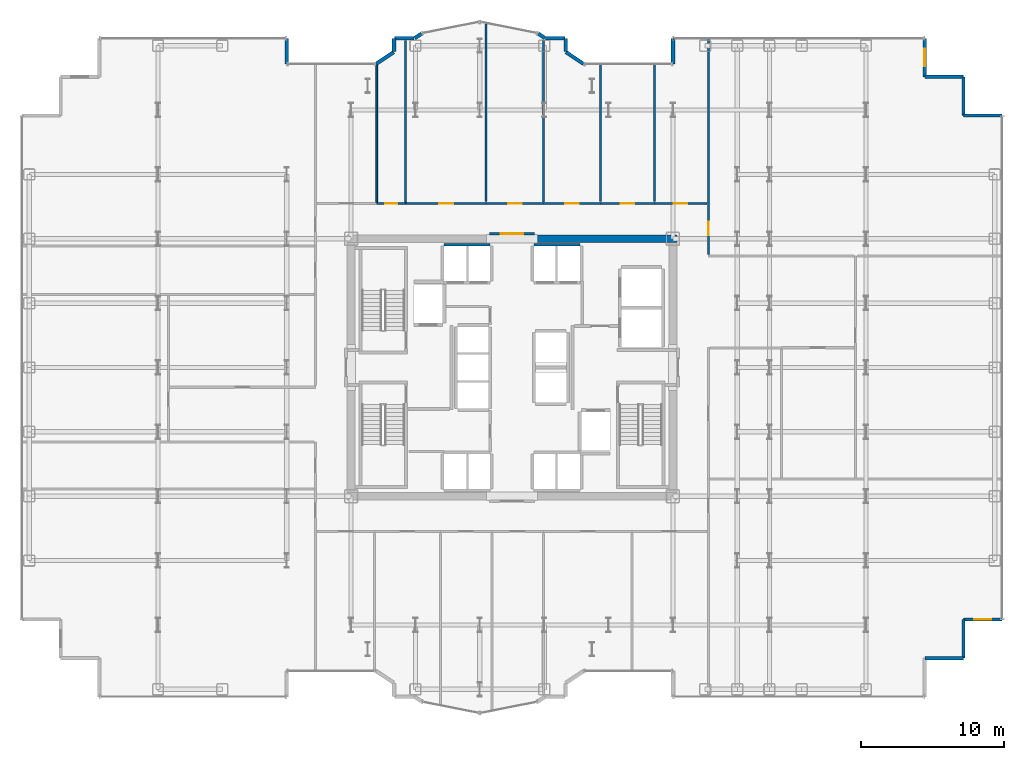
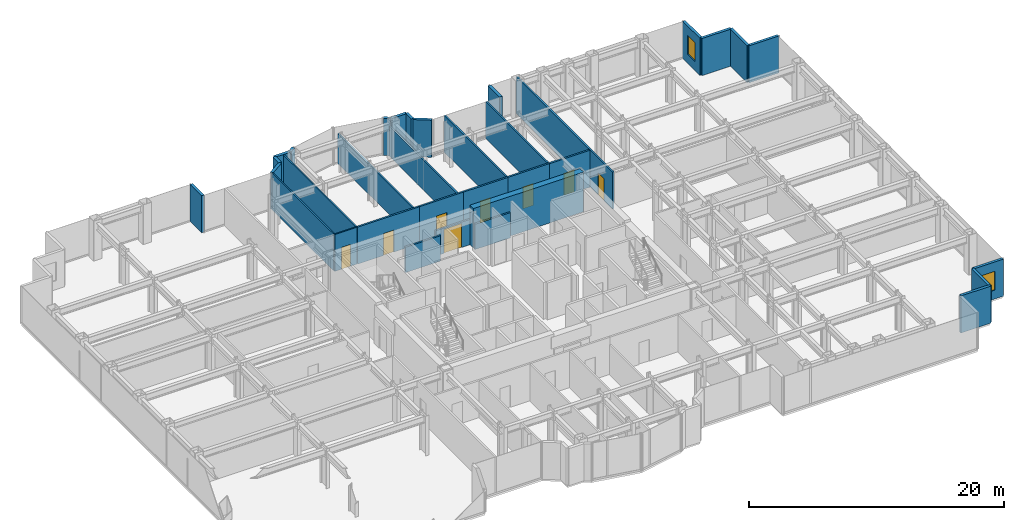
# One storey, part 24 of 26: 34 walls, 8 doors, 2 windows, 10 openings.
"""IFC4 building model written with IfcOpenShell, lengths in metres."""

from ifc_helpers import new_model, si_unit, direction, frame, frame_2d, origin, place, context, subcontext, project, spatial, rectangle, extrude, source, transform, mapped, material, layer, layer_set, type_object, element, fill, save


model = new_model("IFC4")

# Units and contexts
model_context = context("Model", 3, precision=1e-05, world=origin(), true_north=direction((0.0, 1.0)))
body_context = subcontext(model_context, "Body", "Model", "MODEL_VIEW")
ifc_project = project(units=[si_unit("LENGTHUNIT", "METRE"), si_unit("AREAUNIT", "SQUARE_METRE"), si_unit("VOLUMEUNIT", "CUBIC_METRE"), si_unit("PLANEANGLEUNIT", "RADIAN"), si_unit("MASSUNIT", "GRAM", prefix="KILO")], contexts=[model_context])

# Site, building, storey
site_placement = place(None, origin())
site = spatial("IfcSite", under=ifc_project, at=site_placement, CompositionType="ELEMENT")
building_placement = place(site_placement, origin())
building = spatial("IfcBuilding", under=site, at=building_placement, Name="Nefas-Gora Pilgrimage Tower", CompositionType="ELEMENT")
storey_placement = place(building_placement, frame((0.0, 0.0, 117.39990234375)))
storey = spatial("IfcBuildingStorey", under=building, at=storey_placement, Name="L28", CompositionType="ELEMENT", Elevation=117.39990234375)

# Walls
ifc_material_1 = material(Name="Concrete C60/75", Category="concrete")
ifc_layer_1 = layer(ifc_material_1, 0.550048828125)
ifc_layer_set_1 = layer_set([ifc_layer_1], Name="Concrete C60/75")
wall_type_1 = type_object("IfcWallType", Name="SW-CORE-550", PredefinedType="SHEAR", material=ifc_layer_set_1)
shared_shape_1 = source(origin(), body_context, "Body", "SweptSolid", [
    extrude(rectangle(XDim=9.974853515625, YDim=0.550048828125, at=frame_2d((4.9873046875, 0.0))), origin(), (0.0, 0.0, 1.0), 3.800048828125),
])
wall_1_placement = place(storey_placement, frame((1.550048828125, 9.0, 0.0), z_axis=(0.0, 0.0, 1.0), x_axis=(1.0, 0.0, 0.0)))
element("IfcWall", 1, at=wall_1_placement, inside=storey, type_object=wall_type_1, Name="L28 Core Shear Wall N-East", PredefinedType="SHEAR", context=body_context, shape_type="MappedRepresentation", body=[
    mapped(shared_shape_1, transform((0.0, 0.0, 0.0), x_axis=(1.0, 0.0, 0.0), y_axis=(0.0, 1.0, 0.0), z_axis=(0.0, 0.0, 1.0), scale=1.0)),
])
ifc_material_2 = material(Name="Precast concrete C40/50", Category="concrete")
ifc_layer_2 = layer(ifc_material_2, 0.260009765625)
ifc_layer_set_2 = layer_set([ifc_layer_2], Name="Precast concrete C40/50")
wall_type_2 = type_object("IfcWallType", Name="EW-PORTAL-260", PredefinedType="SOLIDWALL", material=ifc_layer_set_2)
shared_shape_2 = source(origin(), body_context, "Body", "SweptSolid", [
    extrude(rectangle(XDim=1.800048828125, YDim=0.260009765625, at=frame_2d((0.89990234375, 0.0))), origin(), (0.0, 0.0, 1.0), 3.550048828125),
])
for number, where, z_axis, x_axis, name in (
    (2, (11.25, 23.02001953125, 0.0), (0.0, 0.0, 1.0), (0.0, -1.0, 0.0), "L28 Lobe Shoulder Precast Spandrel Pier 10"),
    (3, (-15.75, 21.219970703125, 0.0), (0.0, 0.0, 1.0), (0.0, 1.0, 0.0), "L28 Lobe Shoulder Precast Spandrel Pier 19"),
):
    element("IfcWall", number, at=place(storey_placement, frame(where, z_axis=z_axis, x_axis=x_axis)), inside=storey, type_object=wall_type_2, Name=name, PredefinedType="SOLIDWALL", context=body_context, shape_type="MappedRepresentation", body=[
        mapped(shared_shape_2, transform((0.0, 0.0, 0.0), x_axis=(1.0, 0.0, 0.0), y_axis=(0.0, 1.0, 0.0), z_axis=(0.0, 0.0, 1.0), scale=1.0)),
    ])
ifc_material_3 = material(Name="Precast concrete C45/55", Category="concrete")
ifc_layer_3 = layer(ifc_material_3, 0.239990234375)
ifc_layer_set_3 = layer_set([ifc_layer_3], Name="Precast concrete C45/55")
wall_type_3 = type_object("IfcWallType", Name="EW-SERR-240", PredefinedType="SHEAR", material=ifc_layer_set_3)
shared_shape_3 = source(origin(), body_context, "Body", "SweptSolid", [
    extrude(rectangle(XDim=2.699951171875, YDim=0.239990234375, at=frame_2d((1.35009765625, 0.0))), origin(), (0.0, 0.0, 1.0), 3.550048828125),
])
for number, where, z_axis, x_axis, name in (
    (4, (28.8701171875, -20.320068359375, 0.0), (0.0, 0.0, 1.0), (1.0, 0.0, 0.0), "L28 Serrated Corner Shear Pier Wall 3"),
    (5, (31.570068359375, -20.320068359375, 0.0), (0.0, 0.0, 1.0), (0.0, 1.0, 0.0), "L28 Serrated Corner Shear Pier Wall 4"),
):
    element("IfcWall", number, at=place(storey_placement, frame(where, z_axis=z_axis, x_axis=x_axis)), inside=storey, type_object=wall_type_3, Name=name, PredefinedType="SHEAR", context=body_context, shape_type="MappedRepresentation", body=[
        mapped(shared_shape_3, transform((0.0, 0.0, 0.0), x_axis=(1.0, 0.0, 0.0), y_axis=(0.0, 1.0, 0.0), z_axis=(0.0, 0.0, 1.0), scale=1.0)),
    ])

# Wall, opening, window
wall_2_placement = place(storey_placement, frame((31.570068359375, -17.6201171875, 0.0), z_axis=(0.0, 0.0, 1.0), x_axis=(1.0, 0.0, 0.0)))
wall_2 = element("IfcWall", 6, at=wall_2_placement, inside=storey, type_object=wall_type_3, Name="L28 Serrated Corner Shear Pier Wall 5", PredefinedType="SHEAR", context=body_context, shape_type="MappedRepresentation", body=[
    mapped(shared_shape_3, transform((0.0, 0.0, 0.0), x_axis=(1.0, 0.0, 0.0), y_axis=(0.0, 1.0, 0.0), z_axis=(0.0, 0.0, 1.0), scale=1.0)),
])
opening_1_placement = place(wall_2_placement, frame((0.75, 0.0, 0.85009765625)))
opening_1 = element("IfcOpeningElement", 7, at=opening_1_placement, cuts=wall_2, Name="Opening W-V1", PredefinedType="OPENING", context=body_context, shape_type="SweptSolid", body=[
    extrude(rectangle(XDim=1.199951171875, YDim=1.800048828125, at=frame_2d((0.60009765625, 0.89990234375))), frame((0.0, 0.1298828125, 0.0), z_axis=(0.0, -1.0, 0.0), x_axis=(1.0, 0.0, 0.0)), (0.0, 0.0, 1.0), 0.260009765625),
])
ifc_material_4 = material(Name="Dark ceramic-fritted operable aluminium-glass window", Category="aluminium")
window_type = type_object("IfcWindowType", Name="WIN-VENT-1200x1800", PartitioningType="SINGLE_PANEL", PredefinedType="WINDOW", material=ifc_material_4)
shared_shape_4 = source(origin(), body_context, "Body", "SweptSolid", [
    extrude(rectangle(XDim=1.199951171875, YDim=1.800048828125, at=frame_2d((0.60009765625, 0.89990234375))), frame((0.0, 0.030029296875, 0.0), z_axis=(0.0, -1.0, 0.0), x_axis=(1.0, 0.0, 0.0)), (0.0, 0.0, 1.0), 0.06005859375),
])
window_1_placement = place(opening_1_placement, origin())
window_1 = element("IfcWindow", 8, at=window_1_placement, inside=storey, type_object=window_type, Name="L28 Operable Parallel-Outswing Window 5", OverallHeight=1.800048828125, OverallWidth=1.199951171875, PartitioningType="SINGLE_PANEL", PredefinedType="WINDOW", context=body_context, shape_type="MappedRepresentation", body=[
    mapped(shared_shape_4, transform((0.0, 0.0, 0.0), x_axis=(1.0, 0.0, 0.0), y_axis=(0.0, 1.0, 0.0), z_axis=(0.0, 0.0, 1.0), scale=1.0)),
])
fill(opening_1, window_1)

# Walls
for number, where, z_axis, x_axis, name in (
    (9, (34.27001953125, 17.6201171875, 0.0), (0.0, 0.0, 1.0), (-1.0, 0.0, 0.0), "L28 Serrated Corner Shear Pier Wall 6"),
    (10, (31.570068359375, 17.6201171875, 0.0), (0.0, 0.0, 1.0), (0.0, 1.0, 0.0), "L28 Serrated Corner Shear Pier Wall 7"),
    (11, (31.570068359375, 20.320068359375, 0.0), (0.0, 0.0, 1.0), (-1.0, 0.0, 0.0), "L28 Serrated Corner Shear Pier Wall 8"),
):
    element("IfcWall", number, at=place(storey_placement, frame(where, z_axis=z_axis, x_axis=x_axis)), inside=storey, type_object=wall_type_3, Name=name, PredefinedType="SHEAR", context=body_context, shape_type="MappedRepresentation", body=[
        mapped(shared_shape_3, transform((0.0, 0.0, 0.0), x_axis=(1.0, 0.0, 0.0), y_axis=(0.0, 1.0, 0.0), z_axis=(0.0, 0.0, 1.0), scale=1.0)),
    ])

# Wall, opening, window
wall_3_placement = place(storey_placement, frame((28.8701171875, 20.320068359375, 0.0), z_axis=(0.0, 0.0, 1.0), x_axis=(0.0, 1.0, 0.0)))
wall_3 = element("IfcWall", 12, at=wall_3_placement, inside=storey, type_object=wall_type_3, Name="L28 Serrated Corner Shear Pier Wall 9", PredefinedType="SHEAR", context=body_context, shape_type="MappedRepresentation", body=[
    mapped(shared_shape_3, transform((0.0, 0.0, 0.0), x_axis=(1.0, 0.0, 0.0), y_axis=(0.0, 1.0, 0.0), z_axis=(0.0, 0.0, 1.0), scale=1.0)),
])
opening_2_placement = place(wall_3_placement, frame((0.75, 0.0, 0.85009765625)))
opening_2 = element("IfcOpeningElement", 13, at=opening_2_placement, cuts=wall_3, Name="Opening W-V1", PredefinedType="OPENING", context=body_context, shape_type="SweptSolid", body=[
    extrude(rectangle(XDim=1.199951171875, YDim=1.800048828125, at=frame_2d((0.60009765625, 0.89990234375))), frame((0.0, 0.1298828125, 0.0), z_axis=(0.0, -1.0, 0.0), x_axis=(1.0, 0.0, 0.0)), (0.0, 0.0, 1.0), 0.260009765625),
])
window_2_placement = place(opening_2_placement, origin())
window_2 = element("IfcWindow", 14, at=window_2_placement, inside=storey, type_object=window_type, Name="L28 Operable Parallel-Outswing Window 9", OverallHeight=1.800048828125, OverallWidth=1.199951171875, PartitioningType="SINGLE_PANEL", PredefinedType="WINDOW", context=body_context, shape_type="MappedRepresentation", body=[
    mapped(shared_shape_4, transform((0.0, 0.0, 0.0), x_axis=(1.0, 0.0, 0.0), y_axis=(0.0, 1.0, 0.0), z_axis=(0.0, 0.0, 1.0), scale=1.0)),
])
fill(opening_2, window_2)

# Walls
shared_shape_5 = source(origin(), body_context, "Body", "SweptSolid", [
    extrude(rectangle(XDim=1.468994140625, YDim=0.260009765625, at=frame_2d((0.734375, 0.0))), origin(), (0.0, 0.0, 1.0), 3.550048828125),
])
for number, where, z_axis, x_axis, name in (
    (15, (4.99462890625, 21.235595703125, 0.0), (0.0, 0.0, 1.0), (-0.831461760506, 0.555581983884, 0.0), "L28 Lobe Shoulder Precast Spandrel Pier 11"),
    (16, (-8.273193359375, 22.0517578125, 0.0), (0.0, 0.0, 1.0), (-0.831461760506, -0.555581983884, 0.0), "L28 Lobe Shoulder Precast Spandrel Pier 18"),
):
    element("IfcWall", number, at=place(storey_placement, frame(where, z_axis=z_axis, x_axis=x_axis)), inside=storey, type_object=wall_type_2, Name=name, PredefinedType="SOLIDWALL", context=body_context, shape_type="MappedRepresentation", body=[
        mapped(shared_shape_5, transform((0.0, 0.0, 0.0), x_axis=(1.0, 0.0, 0.0), y_axis=(0.0, 1.0, 0.0), z_axis=(0.0, 0.0, 1.0), scale=1.0)),
    ])
shared_shape_6 = source(origin(), body_context, "Body", "SweptSolid", [
    extrude(rectangle(XDim=0.896728515625, YDim=0.260009765625, at=frame_2d((0.4482421875, 0.0))), origin(), (0.0, 0.0, 1.0), 3.550048828125),
])
for number, where, z_axis, x_axis, name in (
    (17, (3.75, 22.09521484375, 0.0), (0.0, 0.0, 1.0), (0.0, 1.0, 0.0), "L28 Lobe Shoulder Precast Spandrel Pier 12"),
    (18, (-8.25, 22.991943359375, 0.0), (0.0, 0.0, 1.0), (0.0, -1.0, 0.0), "L28 Lobe Shoulder Precast Spandrel Pier 17"),
):
    element("IfcWall", number, at=place(storey_placement, frame(where, z_axis=z_axis, x_axis=x_axis)), inside=storey, type_object=wall_type_2, Name=name, PredefinedType="SOLIDWALL", context=body_context, shape_type="MappedRepresentation", body=[
        mapped(shared_shape_6, transform((0.0, 0.0, 0.0), x_axis=(1.0, 0.0, 0.0), y_axis=(0.0, 1.0, 0.0), z_axis=(0.0, 0.0, 1.0), scale=1.0)),
    ])
shared_shape_7 = source(origin(), body_context, "Body", "SweptSolid", [
    extrude(rectangle(XDim=1.369873046875, YDim=0.260009765625, at=frame_2d((0.68505859375, 0.0))), origin(), (0.0, 0.0, 1.0), 3.550048828125),
])
for number, where, z_axis, x_axis, name in (
    (19, (3.721923828125, 23.02001953125, 0.0), (0.0, 0.0, 1.0), (-1.0, 0.0, 0.0), "L28 Lobe Shoulder Precast Spandrel Pier 13"),
    (20, (-6.85205078125, 23.02001953125, 0.0), (0.0, 0.0, 1.0), (-1.0, 0.0, 0.0), "L28 Lobe Shoulder Precast Spandrel Pier 16"),
):
    element("IfcWall", number, at=place(storey_placement, frame(where, z_axis=z_axis, x_axis=x_axis)), inside=storey, type_object=wall_type_2, Name=name, PredefinedType="SOLIDWALL", context=body_context, shape_type="MappedRepresentation", body=[
        mapped(shared_shape_7, transform((0.0, 0.0, 0.0), x_axis=(1.0, 0.0, 0.0), y_axis=(0.0, 1.0, 0.0), z_axis=(0.0, 0.0, 1.0), scale=1.0)),
    ])
shared_shape_8 = source(origin(), body_context, "Body", "SweptSolid", [
    extrude(rectangle(XDim=0.5654296875, YDim=0.260009765625, at=frame_2d((0.28271484375, 0.0))), origin(), (0.0, 0.0, 1.0), 3.550048828125),
])
for number, where, z_axis, x_axis, name in (
    (21, (2.30078125, 23.03564453125, 0.0), (0.0, 0.0, 1.0), (-0.831651492666, 0.555297933317, 0.0), "L28 Lobe Shoulder Precast Spandrel Pier 14"),
    (22, (-6.33056640625, 23.349609375, 0.0), (0.0, 0.0, 1.0), (-0.831651492666, -0.555297933317, 0.0), "L28 Lobe Shoulder Precast Spandrel Pier 15"),
):
    element("IfcWall", number, at=place(storey_placement, frame(where, z_axis=z_axis, x_axis=x_axis)), inside=storey, type_object=wall_type_2, Name=name, PredefinedType="SOLIDWALL", context=body_context, shape_type="MappedRepresentation", body=[
        mapped(shared_shape_8, transform((0.0, 0.0, 0.0), x_axis=(1.0, 0.0, 0.0), y_axis=(0.0, 1.0, 0.0), z_axis=(0.0, 0.0, 1.0), scale=1.0)),
    ])
ifc_material_5 = material(Name="Gypsum acoustic stud partition")
ifc_layer_4 = layer(ifc_material_5, 0.159912109375)
ifc_layer_set_4 = layer_set([ifc_layer_4], Name="Gypsum acoustic stud partition")
wall_type_4 = type_object("IfcWallType", Name="IW-CORR-160", PredefinedType="PARTITIONING", material=ifc_layer_set_4)
shared_shape_9 = source(origin(), body_context, "Body", "SweptSolid", [
    extrude(rectangle(XDim=3.199951171875, YDim=0.159912109375, at=frame_2d((1.60009765625, 0.0))), origin(), (0.0, 0.0, 1.0), 2.425048828125),
])
for number, where, z_axis, x_axis, name in (
    (23, (-1.550048828125, 8.580078125, 0.0), (0.0, 0.0, 1.0), (-1.0, 0.0, 0.0), "L28 Hoistway Wall PL1-W-N"),
    (24, (4.75, 8.580078125, 0.0), (0.0, 0.0, 1.0), (-1.0, 0.0, 0.0), "L28 Hoistway Wall PL1-E-N"),
):
    element("IfcWall", number, at=place(storey_placement, frame(where, z_axis=z_axis, x_axis=x_axis)), inside=storey, type_object=wall_type_4, Name=name, PredefinedType="PARTITIONING", context=body_context, shape_type="MappedRepresentation", body=[
        mapped(shared_shape_9, transform((0.0, 0.0, 0.0), x_axis=(1.0, 0.0, 0.0), y_axis=(0.0, 1.0, 0.0), z_axis=(0.0, 0.0, 1.0), scale=1.0)),
    ])

# Wall, opening, door
ifc_material_6 = material(Name="Moisture-resistant fire-rated gypsum partition")
ifc_layer_5 = layer(ifc_material_6, 0.1201171875)
ifc_layer_set_5 = layer_set([ifc_layer_5], Name="Moisture-resistant fire-rated gypsum partition")
wall_type_5 = type_object("IfcWallType", Name="IW-WET-120", PredefinedType="PLUMBINGWALL", material=ifc_layer_set_5)
shared_shape_10 = source(origin(), body_context, "Body", "SweptSolid", [
    extrude(rectangle(XDim=2.02001953125, YDim=0.1201171875, at=frame_2d((1.010009765625, 0.0))), origin(), (0.0, 0.0, 1.0), 3.53515625),
])
wall_4_placement = place(storey_placement, frame((-9.4599609375, 11.469970703125, 0.0), z_axis=(0.0, 0.0, 1.0), x_axis=(1.0, 0.0, 0.0)))
wall_4 = element("IfcWall", 25, at=wall_4_placement, inside=storey, type_object=wall_type_5, Name="L28 Accessible Unisex WC Partition Wall 20", PredefinedType="PLUMBINGWALL", context=body_context, shape_type="MappedRepresentation", body=[
    mapped(shared_shape_10, transform((0.0, 0.0, 0.0), x_axis=(1.0, 0.0, 0.0), y_axis=(0.0, 1.0, 0.0), z_axis=(0.0, 0.0, 1.0), scale=1.0)),
])
opening_3_placement = place(wall_4_placement, frame((0.5849609375, 0.0, 0.0)))
opening_3 = element("IfcOpeningElement", 26, at=opening_3_placement, cuts=wall_4, Name="Opening ID-BT1", PredefinedType="OPENING", context=body_context, shape_type="SweptSolid", body=[
    extrude(rectangle(XDim=0.85009765625, YDim=2.10009765625, at=frame_2d((0.425048828125, 1.050048828125))), frame((0.0, 0.070068359375, 0.0), z_axis=(0.0, -1.0, 0.0), x_axis=(1.0, 0.0, 0.0)), (0.0, 0.0, 1.0), 0.14013671875),
])
ifc_material_7 = material(Name="Moisture-resistant fire-rated timber door", Category="wood")
door_type_1 = type_object("IfcDoorType", Name="DR-INT-BATH-850", OperationType="NOTDEFINED", PredefinedType="DOOR", material=ifc_material_7)
shared_shape_11 = source(origin(), body_context, "Body", "SweptSolid", [
    extrude(rectangle(XDim=0.85009765625, YDim=2.10009765625, at=frame_2d((0.425048828125, 1.050048828125))), frame((0.0, 0.02490234375, 0.0), z_axis=(0.0, -1.0, 0.0), x_axis=(1.0, 0.0, 0.0)), (0.0, 0.0, 1.0), 0.050048828125),
])
door_1_placement = place(opening_3_placement, origin())
door_1 = element("IfcDoor", 27, at=door_1_placement, inside=storey, type_object=door_type_1, Name="L28 Accessible Unisex WC Door 8", OperationType="SINGLE_SWING_LEFT", OverallHeight=2.10009765625, OverallWidth=0.85009765625, PredefinedType="DOOR", context=body_context, shape_type="MappedRepresentation", body=[
    mapped(shared_shape_11, transform((0.0, 0.0, 0.0), x_axis=(1.0, 0.0, 0.0), y_axis=(0.0, 1.0, 0.0), z_axis=(0.0, 0.0, 1.0), scale=1.0)),
])
fill(opening_3, door_1)

# Walls
shared_shape_12 = source(origin(), body_context, "Body", "SweptSolid", [
    extrude(rectangle(XDim=11.280029296875, YDim=0.1201171875, at=frame_2d((5.64013671875, 0.0))), origin(), (0.0, 0.0, 1.0), 3.53515625),
])
wall_5_placement = place(storey_placement, frame((-7.449951171875, 11.570068359375, 0.0), z_axis=(0.0, 0.0, 1.0), x_axis=(0.0, 1.0, 0.0)))
element("IfcWall", 28, at=wall_5_placement, inside=storey, type_object=wall_type_5, Name="L28 Accessible Unisex WC Partition Wall 21", PredefinedType="PLUMBINGWALL", context=body_context, shape_type="MappedRepresentation", body=[
    mapped(shared_shape_12, transform((0.0, 0.0, 0.0), x_axis=(1.0, 0.0, 0.0), y_axis=(0.0, 1.0, 0.0), z_axis=(0.0, 0.0, 1.0), scale=1.0)),
])
shared_shape_13 = source(origin(), body_context, "Body", "SweptSolid", [
    extrude(rectangle(XDim=9.586669921875, YDim=0.1201171875, at=frame_2d((4.79345703125, 0.0))), origin(), (0.0, 0.0, 1.0), 3.53515625),
])
wall_6_placement = place(storey_placement, frame((-9.449951171875, 11.570068359375, 0.0), z_axis=(0.0, 0.0, 1.0), x_axis=(0.0, 1.0, 0.0)))
element("IfcWall", 29, at=wall_6_placement, inside=storey, type_object=wall_type_5, Name="L28 Accessible Unisex WC Partition Wall 22", PredefinedType="PLUMBINGWALL", context=body_context, shape_type="MappedRepresentation", body=[
    mapped(shared_shape_13, transform((0.0, 0.0, 0.0), x_axis=(1.0, 0.0, 0.0), y_axis=(0.0, 1.0, 0.0), z_axis=(0.0, 0.0, 1.0), scale=1.0)),
])
ifc_material_8 = material(Name="Gypsum twin-stud partition")
ifc_layer_6 = layer(ifc_material_8, 0.139892578125)
ifc_layer_set_6 = layer_set([ifc_layer_6], Name="Gypsum twin-stud partition")
wall_type_6 = type_object("IfcWallType", Name="IW-UNIT-140", PredefinedType="PARTITIONING", material=ifc_layer_set_6)
shared_shape_14 = source(origin(), body_context, "Body", "SweptSolid", [
    extrude(rectangle(XDim=9.64990234375, YDim=0.139892578125, at=frame_2d((4.824951171875, 0.0))), origin(), (0.0, 0.0, 1.0), 3.53515625),
])
for number, where, z_axis, x_axis, name in (
    (30, (6.195068359375, 11.590087890625, 0.0), (0.0, 0.0, 1.0), (0.0, 1.0, 0.0), "L28 Pilgrim Contemplative Lounge Partition Wall 50"),
    (31, (9.949951171875, 11.590087890625, 0.0), (0.0, 0.0, 1.0), (0.0, 1.0, 0.0), "L28 Pilgrim Contemplative Lounge Partition Wall 52"),
):
    element("IfcWall", number, at=place(storey_placement, frame(where, z_axis=z_axis, x_axis=x_axis)), inside=storey, type_object=wall_type_6, Name=name, PredefinedType="PARTITIONING", context=body_context, shape_type="MappedRepresentation", body=[
        mapped(shared_shape_14, transform((0.0, 0.0, 0.0), x_axis=(1.0, 0.0, 0.0), y_axis=(0.0, 1.0, 0.0), z_axis=(0.0, 0.0, 1.0), scale=1.0)),
    ])

# Wall, opening, door
shared_shape_15 = source(origin(), body_context, "Body", "SweptSolid", [
    extrude(rectangle(XDim=3.16015625, YDim=0.159912109375, at=frame_2d((1.580078125, 0.0))), origin(), (0.0, 0.0, 1.0), 2.425048828125),
])
wall_7_placement = place(storey_placement, frame((-1.580078125, 9.35009765625, 0.0), z_axis=(0.0, 0.0, 1.0), x_axis=(1.0, 0.0, 0.0)))
wall_7 = element("IfcWall", 32, at=wall_7_placement, inside=storey, type_object=wall_type_4, Name="L28 Central Lift Lobby North Portal Wall 13", PredefinedType="PARTITIONING", context=body_context, shape_type="MappedRepresentation", body=[
    mapped(shared_shape_15, transform((0.0, 0.0, 0.0), x_axis=(1.0, 0.0, 0.0), y_axis=(0.0, 1.0, 0.0), z_axis=(0.0, 0.0, 1.0), scale=1.0)),
])
opening_4_placement = place(wall_7_placement, frame((0.780029296875, 0.0, 0.0)))
opening_4 = element("IfcOpeningElement", 33, at=opening_4_placement, cuts=wall_7, Name="Opening ID-HL1", PredefinedType="OPENING", context=body_context, shape_type="SweptSolid", body=[
    extrude(rectangle(XDim=1.60009765625, YDim=2.300048828125, at=frame_2d((0.800048828125, 1.14990234375))), frame((0.0, 0.08984375, 0.0), z_axis=(0.0, -1.0, 0.0), x_axis=(1.0, 0.0, 0.0)), (0.0, 0.0, 1.0), 0.179931640625),
])
ifc_material_9 = material(Name="Double acoustic timber assembly hall door", Category="wood")
door_type_2 = type_object("IfcDoorType", Name="DR-INT-HALL-1600", OperationType="DOUBLE_DOOR_SINGLE_SWING", PredefinedType="DOOR", material=ifc_material_9)
shared_shape_16 = source(origin(), body_context, "Body", "SweptSolid", [
    extrude(rectangle(XDim=1.60009765625, YDim=2.300048828125, at=frame_2d((0.800048828125, 1.14990234375))), frame((0.0, 0.02490234375, 0.0), z_axis=(0.0, -1.0, 0.0), x_axis=(1.0, 0.0, 0.0)), (0.0, 0.0, 1.0), 0.050048828125),
])
door_2_placement = place(opening_4_placement, origin())
door_2 = element("IfcDoor", 34, at=door_2_placement, inside=storey, type_object=door_type_2, Name="L28 Central Lift Lobby North Portal Door 4", OperationType="DOUBLE_DOOR_SINGLE_SWING", OverallHeight=2.300048828125, OverallWidth=1.60009765625, PredefinedType="DOOR", context=body_context, shape_type="MappedRepresentation", body=[
    mapped(shared_shape_16, transform((0.0, 0.0, 0.0), x_axis=(1.0, 0.0, 0.0), y_axis=(0.0, 1.0, 0.0), z_axis=(0.0, 0.0, 1.0), scale=1.0)),
])
fill(opening_4, door_2)

shared_shape_17 = source(origin(), body_context, "Body", "SweptSolid", [
    extrude(rectangle(XDim=5.610107421875, YDim=0.159912109375, at=frame_2d((2.80517578125, 0.0))), origin(), (0.0, 0.0, 1.0), 3.53515625),
])
wall_8_placement = place(storey_placement, frame((-7.405029296875, 11.469970703125, 0.0), z_axis=(0.0, 0.0, 1.0), x_axis=(1.0, 0.0, 0.0)))
wall_8 = element("IfcWall", 35, at=wall_8_placement, inside=storey, type_object=wall_type_4, Name="L28 Pilgrim Contemplative Lounge Partition Wall 45", PredefinedType="PARTITIONING", context=body_context, shape_type="MappedRepresentation", body=[
    mapped(shared_shape_17, transform((0.0, 0.0, 0.0), x_axis=(1.0, 0.0, 0.0), y_axis=(0.0, 1.0, 0.0), z_axis=(0.0, 0.0, 1.0), scale=1.0)),
])
opening_5_placement = place(wall_8_placement, frame((2.330078125, 0.0, 0.0)))
opening_5 = element("IfcOpeningElement", 36, at=opening_5_placement, cuts=wall_8, Name="Opening ID-GR1", PredefinedType="OPENING", context=body_context, shape_type="SweptSolid", body=[
    extrude(rectangle(XDim=0.949951171875, YDim=2.10009765625, at=frame_2d((0.47509765625, 1.050048828125))), frame((0.0, 0.08984375, 0.0), z_axis=(0.0, -1.0, 0.0), x_axis=(1.0, 0.0, 0.0)), (0.0, 0.0, 1.0), 0.179931640625),
])
ifc_material_10 = material(Name="Solid core oak fire-rated guest entrance door")
door_type_3 = type_object("IfcDoorType", Name="DR-INT-GUEST-950", OperationType="NOTDEFINED", PredefinedType="DOOR", material=ifc_material_10)
shared_shape_18 = source(origin(), body_context, "Body", "SweptSolid", [
    extrude(rectangle(XDim=0.949951171875, YDim=2.10009765625, at=frame_2d((0.47509765625, 1.050048828125))), frame((0.0, 0.02490234375, 0.0), z_axis=(0.0, -1.0, 0.0), x_axis=(1.0, 0.0, 0.0)), (0.0, 0.0, 1.0), 0.050048828125),
])
door_3_placement = place(opening_5_placement, origin())
door_3 = element("IfcDoor", 37, at=door_3_placement, inside=storey, type_object=door_type_3, Name="L28 Pilgrim Contemplative Lounge Door 21", OperationType="SINGLE_SWING_RIGHT", OverallHeight=2.10009765625, OverallWidth=0.949951171875, PredefinedType="DOOR", context=body_context, shape_type="MappedRepresentation", body=[
    mapped(shared_shape_18, transform((0.0, 0.0, 0.0), x_axis=(1.0, 0.0, 0.0), y_axis=(0.0, 1.0, 0.0), z_axis=(0.0, 0.0, 1.0), scale=1.0)),
])
fill(opening_5, door_3)

# Wall
shared_shape_19 = source(origin(), body_context, "Body", "SweptSolid", [
    extrude(rectangle(XDim=12.51416015625, YDim=0.139892578125, at=frame_2d((6.257080078125, 0.0))), origin(), (0.0, 0.0, 1.0), 2.875),
])
wall_9_placement = place(storey_placement, frame((-1.804931640625, 11.590087890625, 0.0), z_axis=(0.0, 0.0, 1.0), x_axis=(0.0, 1.0, 0.0)))
element("IfcWall", 38, at=wall_9_placement, inside=storey, type_object=wall_type_6, Name="L28 Pilgrim Contemplative Lounge Partition Wall 46", PredefinedType="PARTITIONING", context=body_context, shape_type="MappedRepresentation", body=[
    mapped(shared_shape_19, transform((0.0, 0.0, 0.0), x_axis=(1.0, 0.0, 0.0), y_axis=(0.0, 1.0, 0.0), z_axis=(0.0, 0.0, 1.0), scale=1.0)),
])

# Wall, opening, door
shared_shape_20 = source(origin(), body_context, "Body", "SweptSolid", [
    extrude(rectangle(XDim=15.135009765625, YDim=0.159912109375, at=frame_2d((7.5673828125, 0.0))), origin(), (0.0, 0.0, 1.0), 3.53515625),
])
wall_10_placement = place(storey_placement, frame((13.739990234375, 7.905029296875, 0.0), z_axis=(0.0, 0.0, 1.0), x_axis=(0.0, 1.0, 0.0)))
wall_10 = element("IfcWall", 39, at=wall_10_placement, inside=storey, type_object=wall_type_4, Name="L28 Pilgrim Contemplative Lounge Partition Wall 43", PredefinedType="PARTITIONING", context=body_context, shape_type="MappedRepresentation", body=[
    mapped(shared_shape_20, transform((0.0, 0.0, 0.0), x_axis=(1.0, 0.0, 0.0), y_axis=(0.0, 1.0, 0.0), z_axis=(0.0, 0.0, 1.0), scale=1.0)),
])
opening_6_placement = place(wall_10_placement, frame((1.327392578125, 0.0, 0.0)))
opening_6 = element("IfcOpeningElement", 40, at=opening_6_placement, cuts=wall_10, Name="Opening ID-GR1", PredefinedType="OPENING", context=body_context, shape_type="SweptSolid", body=[
    extrude(rectangle(XDim=0.949951171875, YDim=2.10009765625, at=frame_2d((0.47509765625, 1.050048828125))), frame((0.0, 0.08984375, 0.0), z_axis=(0.0, -1.0, 0.0), x_axis=(1.0, 0.0, 0.0)), (0.0, 0.0, 1.0), 0.179931640625),
])
door_4_placement = place(opening_6_placement, origin())
door_4 = element("IfcDoor", 41, at=door_4_placement, inside=storey, type_object=door_type_3, Name="L28 Pilgrim Contemplative Lounge Door 19", OperationType="SINGLE_SWING_RIGHT", OverallHeight=2.10009765625, OverallWidth=0.949951171875, PredefinedType="DOOR", context=body_context, shape_type="MappedRepresentation", body=[
    mapped(shared_shape_18, transform((0.0, 0.0, 0.0), x_axis=(1.0, 0.0, 0.0), y_axis=(0.0, 1.0, 0.0), z_axis=(0.0, 0.0, 1.0), scale=1.0)),
])
fill(opening_6, door_4)

shared_shape_21 = source(origin(), body_context, "Body", "SweptSolid", [
    extrude(rectangle(XDim=4.0048828125, YDim=0.159912109375, at=frame_2d((2.00244140625, 0.0))), origin(), (0.0, 0.0, 1.0), 3.53515625),
])
wall_11_placement = place(storey_placement, frame((-1.804931640625, 11.469970703125, 0.0), z_axis=(0.0, 0.0, 1.0), x_axis=(1.0, 0.0, 0.0)))
wall_11 = element("IfcWall", 42, at=wall_11_placement, inside=storey, type_object=wall_type_4, Name="L28 Pilgrim Contemplative Lounge Partition Wall 47", PredefinedType="PARTITIONING", context=body_context, shape_type="MappedRepresentation", body=[
    mapped(shared_shape_21, transform((0.0, 0.0, 0.0), x_axis=(1.0, 0.0, 0.0), y_axis=(0.0, 1.0, 0.0), z_axis=(0.0, 0.0, 1.0), scale=1.0)),
])
opening_7_placement = place(wall_11_placement, frame((1.527587890625, 0.0, 0.0)))
opening_7 = element("IfcOpeningElement", 43, at=opening_7_placement, cuts=wall_11, Name="Opening ID-GR1", PredefinedType="OPENING", context=body_context, shape_type="SweptSolid", body=[
    extrude(rectangle(XDim=0.949951171875, YDim=2.10009765625, at=frame_2d((0.47509765625, 1.050048828125))), frame((0.0, 0.08984375, 0.0), z_axis=(0.0, -1.0, 0.0), x_axis=(1.0, 0.0, 0.0)), (0.0, 0.0, 1.0), 0.179931640625),
])
door_5_placement = place(opening_7_placement, origin())
door_5 = element("IfcDoor", 44, at=door_5_placement, inside=storey, type_object=door_type_3, Name="L28 Pilgrim Contemplative Lounge Door 22", OperationType="SINGLE_SWING_LEFT", OverallHeight=2.10009765625, OverallWidth=0.949951171875, PredefinedType="DOOR", context=body_context, shape_type="MappedRepresentation", body=[
    mapped(shared_shape_18, transform((0.0, 0.0, 0.0), x_axis=(1.0, 0.0, 0.0), y_axis=(0.0, 1.0, 0.0), z_axis=(0.0, 0.0, 1.0), scale=1.0)),
])
fill(opening_7, door_5)

# Wall
shared_shape_22 = source(origin(), body_context, "Body", "SweptSolid", [
    extrude(rectangle(XDim=11.317626953125, YDim=0.139892578125, at=frame_2d((5.65869140625, 0.0))), origin(), (0.0, 0.0, 1.0), 2.875),
])
wall_12_placement = place(storey_placement, frame((2.18994140625, 11.590087890625, 0.0), z_axis=(0.0, 0.0, 1.0), x_axis=(0.0, 1.0, 0.0)))
element("IfcWall", 45, at=wall_12_placement, inside=storey, type_object=wall_type_6, Name="L28 Pilgrim Contemplative Lounge Partition Wall 48", PredefinedType="PARTITIONING", context=body_context, shape_type="MappedRepresentation", body=[
    mapped(shared_shape_22, transform((0.0, 0.0, 0.0), x_axis=(1.0, 0.0, 0.0), y_axis=(0.0, 1.0, 0.0), z_axis=(0.0, 0.0, 1.0), scale=1.0)),
])

# Wall, opening, door
shared_shape_23 = source(origin(), body_context, "Body", "SweptSolid", [
    extrude(rectangle(XDim=4.005126953125, YDim=0.159912109375, at=frame_2d((2.00244140625, 0.0))), origin(), (0.0, 0.0, 1.0), 3.53515625),
])
wall_13_placement = place(storey_placement, frame((2.199951171875, 11.469970703125, 0.0), z_axis=(0.0, 0.0, 1.0), x_axis=(1.0, 0.0, 0.0)))
wall_13 = element("IfcWall", 46, at=wall_13_placement, inside=storey, type_object=wall_type_4, Name="L28 Pilgrim Contemplative Lounge Partition Wall 49", PredefinedType="PARTITIONING", context=body_context, shape_type="MappedRepresentation", body=[
    mapped(shared_shape_23, transform((0.0, 0.0, 0.0), x_axis=(1.0, 0.0, 0.0), y_axis=(0.0, 1.0, 0.0), z_axis=(0.0, 0.0, 1.0), scale=1.0)),
])
opening_8_placement = place(wall_13_placement, frame((1.527587890625, 0.0, 0.0)))
opening_8 = element("IfcOpeningElement", 47, at=opening_8_placement, cuts=wall_13, Name="Opening ID-GR1", PredefinedType="OPENING", context=body_context, shape_type="SweptSolid", body=[
    extrude(rectangle(XDim=0.949951171875, YDim=2.10009765625, at=frame_2d((0.47509765625, 1.050048828125))), frame((0.0, 0.08984375, 0.0), z_axis=(0.0, -1.0, 0.0), x_axis=(1.0, 0.0, 0.0)), (0.0, 0.0, 1.0), 0.179931640625),
])
door_6_placement = place(opening_8_placement, origin())
door_6 = element("IfcDoor", 48, at=door_6_placement, inside=storey, type_object=door_type_3, Name="L28 Pilgrim Contemplative Lounge Door 23", OperationType="SINGLE_SWING_RIGHT", OverallHeight=2.10009765625, OverallWidth=0.949951171875, PredefinedType="DOOR", context=body_context, shape_type="MappedRepresentation", body=[
    mapped(shared_shape_18, transform((0.0, 0.0, 0.0), x_axis=(1.0, 0.0, 0.0), y_axis=(0.0, 1.0, 0.0), z_axis=(0.0, 0.0, 1.0), scale=1.0)),
])
fill(opening_8, door_6)

shared_shape_24 = source(origin(), body_context, "Body", "SweptSolid", [
    extrude(rectangle(XDim=3.764892578125, YDim=0.159912109375, at=frame_2d((1.88232421875, 0.0))), origin(), (0.0, 0.0, 1.0), 3.53515625),
])
wall_14_placement = place(storey_placement, frame((6.195068359375, 11.469970703125, 0.0), z_axis=(0.0, 0.0, 1.0), x_axis=(1.0, 0.0, 0.0)))
wall_14 = element("IfcWall", 49, at=wall_14_placement, inside=storey, type_object=wall_type_4, Name="L28 Pilgrim Contemplative Lounge Partition Wall 51", PredefinedType="PARTITIONING", context=body_context, shape_type="MappedRepresentation", body=[
    mapped(shared_shape_24, transform((0.0, 0.0, 0.0), x_axis=(1.0, 0.0, 0.0), y_axis=(0.0, 1.0, 0.0), z_axis=(0.0, 0.0, 1.0), scale=1.0)),
])
opening_9_placement = place(wall_14_placement, frame((1.407470703125, 0.0, 0.0)))
opening_9 = element("IfcOpeningElement", 50, at=opening_9_placement, cuts=wall_14, Name="Opening ID-GR1", PredefinedType="OPENING", context=body_context, shape_type="SweptSolid", body=[
    extrude(rectangle(XDim=0.949951171875, YDim=2.10009765625, at=frame_2d((0.47509765625, 1.050048828125))), frame((0.0, 0.08984375, 0.0), z_axis=(0.0, -1.0, 0.0), x_axis=(1.0, 0.0, 0.0)), (0.0, 0.0, 1.0), 0.179931640625),
])
door_7_placement = place(opening_9_placement, origin())
door_7 = element("IfcDoor", 51, at=door_7_placement, inside=storey, type_object=door_type_3, Name="L28 Pilgrim Contemplative Lounge Door 24", OperationType="SINGLE_SWING_LEFT", OverallHeight=2.10009765625, OverallWidth=0.949951171875, PredefinedType="DOOR", context=body_context, shape_type="MappedRepresentation", body=[
    mapped(shared_shape_18, transform((0.0, 0.0, 0.0), x_axis=(1.0, 0.0, 0.0), y_axis=(0.0, 1.0, 0.0), z_axis=(0.0, 0.0, 1.0), scale=1.0)),
])
fill(opening_9, door_7)

shared_shape_25 = source(origin(), body_context, "Body", "SweptSolid", [
    extrude(rectangle(XDim=3.66015625, YDim=0.159912109375, at=frame_2d((1.830078125, 0.0))), origin(), (0.0, 0.0, 1.0), 3.53515625),
])
wall_15_placement = place(storey_placement, frame((9.9599609375, 11.469970703125, 0.0), z_axis=(0.0, 0.0, 1.0), x_axis=(1.0, 0.0, 0.0)))
wall_15 = element("IfcWall", 52, at=wall_15_placement, inside=storey, type_object=wall_type_4, Name="L28 Pilgrim Contemplative Lounge Partition Wall 53", PredefinedType="PARTITIONING", context=body_context, shape_type="MappedRepresentation", body=[
    mapped(shared_shape_25, transform((0.0, 0.0, 0.0), x_axis=(1.0, 0.0, 0.0), y_axis=(0.0, 1.0, 0.0), z_axis=(0.0, 0.0, 1.0), scale=1.0)),
])
opening_10_placement = place(wall_15_placement, frame((1.35498046875, 0.0, 0.0)))
opening_10 = element("IfcOpeningElement", 53, at=opening_10_placement, cuts=wall_15, Name="Opening ID-GR1", PredefinedType="OPENING", context=body_context, shape_type="SweptSolid", body=[
    extrude(rectangle(XDim=0.949951171875, YDim=2.10009765625, at=frame_2d((0.47509765625, 1.050048828125))), frame((0.0, 0.08984375, 0.0), z_axis=(0.0, -1.0, 0.0), x_axis=(1.0, 0.0, 0.0)), (0.0, 0.0, 1.0), 0.179931640625),
])
door_8_placement = place(opening_10_placement, origin())
door_8 = element("IfcDoor", 54, at=door_8_placement, inside=storey, type_object=door_type_3, Name="L28 Pilgrim Contemplative Lounge Door 25", OperationType="SINGLE_SWING_RIGHT", OverallHeight=2.10009765625, OverallWidth=0.949951171875, PredefinedType="DOOR", context=body_context, shape_type="MappedRepresentation", body=[
    mapped(shared_shape_18, transform((0.0, 0.0, 0.0), x_axis=(1.0, 0.0, 0.0), y_axis=(0.0, 1.0, 0.0), z_axis=(0.0, 0.0, 1.0), scale=1.0)),
])
fill(opening_10, door_8)

save(model, "model.ifc")
